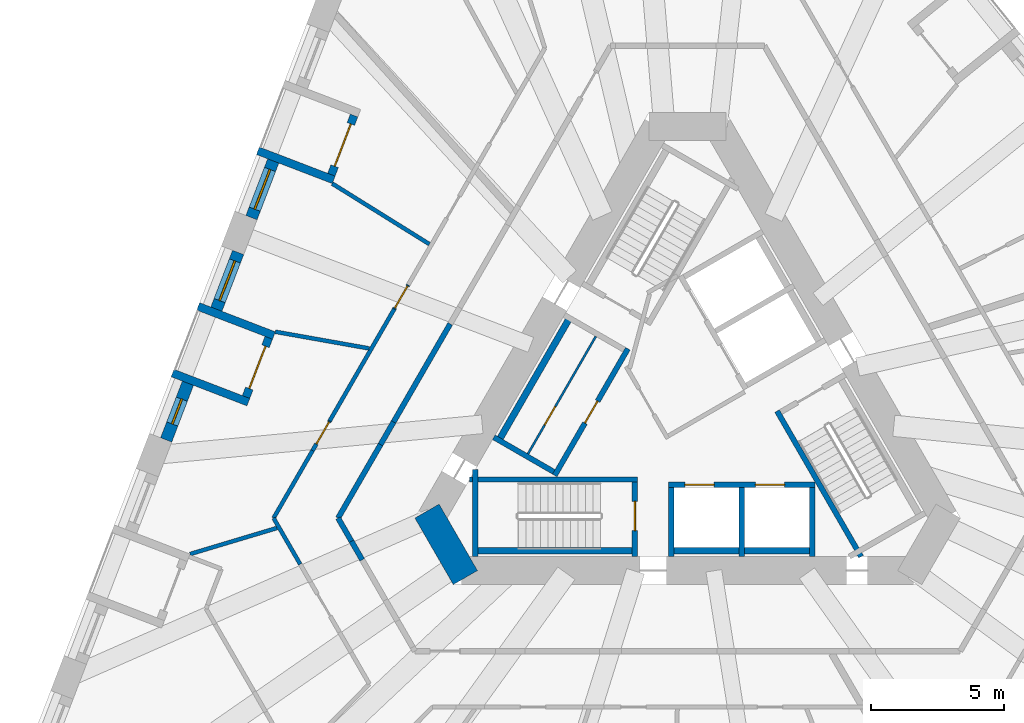
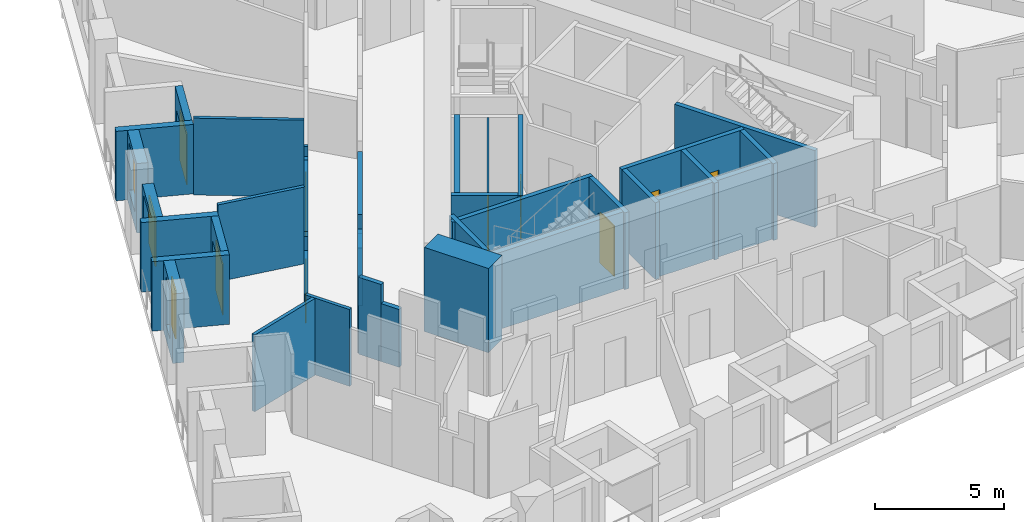
# One storey, part 4 of 14: 36 walls, 9 doors, 3 windows, 12 openings.
"""IFC4 building model written with IfcOpenShell, lengths in metres."""

from ifc_helpers import new_model, si_unit, direction, frame, frame_2d, origin, place, context, subcontext, project, spatial, polyline, rectangle, outline, extrude, material, layer, layer_set, type_object, element, fill, save


model = new_model("IFC4")

# Units and contexts
model_context = context("Model", 3, precision=1e-05, world=origin(), true_north=direction((0.0, 1.0)))
body_context = subcontext(model_context, "Body", "Model", "MODEL_VIEW")
ifc_project = project(units=[si_unit("LENGTHUNIT", "METRE"), si_unit("AREAUNIT", "SQUARE_METRE"), si_unit("VOLUMEUNIT", "CUBIC_METRE"), si_unit("PLANEANGLEUNIT", "RADIAN"), si_unit("MASSUNIT", "GRAM", prefix="KILO")], contexts=[model_context])

# Site, building, storey
site_placement = place(None, origin())
site = spatial("IfcSite", under=ifc_project, at=site_placement, CompositionType="ELEMENT")
building_placement = place(site_placement, origin())
building = spatial("IfcBuilding", under=site, at=building_placement, Name="Tramontana Tower", CompositionType="ELEMENT")
storey_placement = place(building_placement, frame((0.0, 0.0, 79.199951171875)))
storey = spatial("IfcBuildingStorey", under=building, at=storey_placement, Name="L17", CompositionType="ELEMENT", Elevation=79.199951171875)

# Walls
ifc_material_1 = material(Name="Concrete 70 MPa", Category="concrete")
ifc_layer_1 = layer(ifc_material_1, 1.050048828125)
ifc_layer_set_1 = layer_set([ifc_layer_1], Name="Core wall 1050 70 MPa")
wall_type_1 = type_object("IfcWallType", Name="Core wall 1050 70 MPa", PredefinedType="SHEAR", material=ifc_layer_set_1)
wall_1_placement = place(storey_placement, frame((-9.793212890625, -3.987548828125, 0.0), z_axis=(0.0, 0.0, 1.0), x_axis=(0.499995765644, -0.866027848477, 0.0)))
element("IfcWall", 1, at=wall_1_placement, inside=storey, type_object=wall_type_1, Name="Core wall C2 L17", PredefinedType="SHEAR", context=body_context, shape_type="SweptSolid", body=[
    extrude(rectangle(XDim=2.88671875, YDim=1.050048828125, at=frame_2d((1.443359375, 0.0))), origin(), (0.0, 0.0, 1.0), 4.0),
])
ifc_material_2 = material(Name="Blockwork", Category="masonry")
ifc_layer_2 = layer(ifc_material_2, 0.199951171875)
ifc_layer_set_2 = layer_set([ifc_layer_2], Name="ENTRY WALL 200")
wall_type_2 = type_object("IfcWallType", Name="ENTRY WALL 200", PredefinedType="SOLIDWALL", material=ifc_layer_set_2)
wall_2_placement = place(storey_placement, frame((-12.228515625, -5.819580078125, 0.0), z_axis=(0.0, 0.0, 1.0), x_axis=(-0.499923776705, 0.866069406852, 0.0)))
element("IfcWall", 2, at=wall_2_placement, inside=storey, type_object=wall_type_2, Name="Wall v12-ew3-4", PredefinedType="SOLIDWALL", context=body_context, shape_type="SweptSolid", body=[
    extrude(rectangle(XDim=0.804931640625, YDim=0.199951171875, at=frame_2d((0.40234375, 0.0))), origin(), (0.0, 0.0, 1.0), 2.75),
])
wall_3_placement = place(storey_placement, frame((-12.630859375, -5.12255859375, 0.0), z_axis=(0.0, 0.0, 1.0), x_axis=(-0.500099969036, 0.865967678941, 0.0)))
element("IfcWall", 3, at=wall_3_placement, inside=storey, type_object=wall_type_2, Name="Wall v12-ew3-5", PredefinedType="SOLIDWALL", context=body_context, shape_type="SweptSolid", body=[
    extrude(rectangle(XDim=1.007568359375, YDim=0.199951171875, at=frame_2d((0.50390625, 0.0))), origin(), (0.0, 0.0, 1.0), 3.650146484375),
])
wall_4_placement = place(storey_placement, frame((-13.134765625, -4.25, 0.0), z_axis=(0.0, 0.0, 1.0), x_axis=(0.50003154259, 0.866007191896, 0.0)))
element("IfcWall", 4, at=wall_4_placement, inside=storey, type_object=wall_type_2, Name="Wall v12-ew4-0", PredefinedType="SOLIDWALL", context=body_context, shape_type="SweptSolid", body=[
    extrude(rectangle(XDim=3.190673828125, YDim=0.199951171875, at=frame_2d((1.59521484375, 0.0))), origin(), (0.0, 0.0, 1.0), 3.650146484375),
])
wall_5_placement = place(storey_placement, frame((-11.539306640625, -1.48681640625, 0.0), z_axis=(0.0, 0.0, 1.0), x_axis=(0.499966601515, 0.86604468555, 0.0)))
element("IfcWall", 5, at=wall_5_placement, inside=storey, type_object=wall_type_2, Name="Wall v12-ew4-1", PredefinedType="SOLIDWALL", context=body_context, shape_type="SweptSolid", body=[
    extrude(rectangle(XDim=0.98095703125, YDim=0.199951171875, at=frame_2d((0.490478515625, 0.0))), origin(), (0.0, 0.0, 1.0), 2.75),
])
wall_6_placement = place(storey_placement, frame((-11.048828125, -0.63720703125, 0.0), z_axis=(0.0, 0.0, 1.0), x_axis=(0.500000470374, 0.866025132214, 0.0)))
element("IfcWall", 6, at=wall_6_placement, inside=storey, type_object=wall_type_2, Name="Wall v12-ew4-2", PredefinedType="SOLIDWALL", context=body_context, shape_type="SweptSolid", body=[
    extrude(rectangle(XDim=4.2568359375, YDim=0.199951171875, at=frame_2d((2.12841796875, 0.0))), origin(), (0.0, 0.0, 1.0), 3.650146484375),
])

# Wall, opening, window
ifc_material_3 = material(Name="Precast concrete 60 MPa", Category="concrete")
ifc_layer_3 = layer(ifc_material_3, 0.449951171875)
ifc_layer_set_3 = layer_set([ifc_layer_3], Name="Precast concrete 60 MPa, 450 mm")
wall_type_3 = type_object("IfcWallType", Name="EW1 Stone-faced precast wall 450", PredefinedType="SOLIDWALL", material=ifc_layer_set_3)
wall_7_placement = place(storey_placement, frame((-15.572021484375, 9.1728515625, 0.0), z_axis=(0.0, 0.0, 1.0), x_axis=(-0.358355550725, -0.933585185864, 0.0)))
wall_7 = element("IfcWall", 7, at=wall_7_placement, inside=storey, type_object=wall_type_3, Name="External wall L17 face 0 bay 3", PredefinedType="SOLIDWALL", context=body_context, shape_type="SweptSolid", body=[
    extrude(rectangle(XDim=2.282958984375, YDim=0.449951171875, at=frame_2d((1.1416015625, 0.0))), origin(), (0.0, 0.0, 1.0), 3.300048828125),
])
opening_1_placement = place(wall_7_placement, frame((0.341552734375, 0.0, 0.699951171875)))
opening_1 = element("IfcOpeningElement", 8, at=opening_1_placement, cuts=wall_7, Name="Opening M1", PredefinedType="OPENING", context=body_context, shape_type="SweptSolid", body=[
    extrude(rectangle(XDim=1.60009765625, YDim=2.300048828125, at=frame_2d((0.800048828125, 1.14990234375))), frame((0.0, 0.23486328125, 0.0), z_axis=(0.0, -1.0, 0.0), x_axis=(1.0, 0.0, 0.0)), (0.0, 0.0, 1.0), 0.469970703125),
])
ifc_material_4 = material(Name="Aluminum frame, double glazing unit", Category="aluminium")
window_type_1 = type_object("IfcWindowType", Name="M1 Window 1.6 x 2.3", PartitioningType="SINGLE_PANEL", PredefinedType="WINDOW", material=ifc_material_4)
window_1_placement = place(opening_1_placement, origin())
window_1 = element("IfcWindow", 9, at=window_1_placement, inside=storey, type_object=window_type_1, Name="Window M1 L17 face 0 module 9", OverallHeight=2.300048828125, OverallWidth=1.60009765625, PartitioningType="SINGLE_PANEL", PredefinedType="WINDOW", context=body_context, shape_type="SweptSolid", body=[
    extrude(rectangle(XDim=1.60009765625, YDim=2.300048828125, at=frame_2d((0.800048828125, 1.14990234375))), frame((0.0, 0.030029296875, 0.0), z_axis=(0.0, -1.0, 0.0), x_axis=(1.0, 0.0, 0.0)), (0.0, 0.0, 1.0), 0.06005859375),
])
fill(opening_1, window_1)

wall_8_placement = place(storey_placement, frame((-16.891845703125, 5.734375, 0.0), z_axis=(0.0, 0.0, 1.0), x_axis=(-0.358355550725, -0.933585185864, 0.0)))
wall_8 = element("IfcWall", 10, at=wall_8_placement, inside=storey, type_object=wall_type_3, Name="External wall L17 face 0 bay 4", PredefinedType="SOLIDWALL", context=body_context, shape_type="SweptSolid", body=[
    extrude(rectangle(XDim=2.282958984375, YDim=0.449951171875, at=frame_2d((1.1416015625, 0.0))), origin(), (0.0, 0.0, 1.0), 3.300048828125),
])
opening_2_placement = place(wall_8_placement, frame((0.341552734375, 0.0, 0.699951171875)))
opening_2 = element("IfcOpeningElement", 11, at=opening_2_placement, cuts=wall_8, Name="Opening M1", PredefinedType="OPENING", context=body_context, shape_type="SweptSolid", body=[
    extrude(rectangle(XDim=1.60009765625, YDim=2.300048828125, at=frame_2d((0.800048828125, 1.14990234375))), frame((0.0, 0.23486328125, 0.0), z_axis=(0.0, -1.0, 0.0), x_axis=(1.0, 0.0, 0.0)), (0.0, 0.0, 1.0), 0.469970703125),
])
window_2_placement = place(opening_2_placement, origin())
window_2 = element("IfcWindow", 12, at=window_2_placement, inside=storey, type_object=window_type_1, Name="Window M1 L17 face 0 module 10", OverallHeight=2.300048828125, OverallWidth=1.60009765625, PartitioningType="SINGLE_PANEL", PredefinedType="WINDOW", context=body_context, shape_type="SweptSolid", body=[
    extrude(rectangle(XDim=1.60009765625, YDim=2.300048828125, at=frame_2d((0.800048828125, 1.14990234375))), frame((0.0, 0.030029296875, 0.0), z_axis=(0.0, -1.0, 0.0), x_axis=(1.0, 0.0, 0.0)), (0.0, 0.0, 1.0), 0.06005859375),
])
fill(opening_2, window_2)

wall_9_placement = place(storey_placement, frame((-18.779052734375, 0.818115234375, 0.0), z_axis=(0.0, 0.0, 1.0), x_axis=(-0.358355550725, -0.933585185864, 0.0)))
wall_9 = element("IfcWall", 13, at=wall_9_placement, inside=storey, type_object=wall_type_3, Name="External wall L17 face 0 bay 4", PredefinedType="SOLIDWALL", context=body_context, shape_type="SweptSolid", body=[
    extrude(rectangle(XDim=2.282958984375, YDim=0.449951171875, at=frame_2d((1.1416015625, 0.0))), origin(), (0.0, 0.0, 1.0), 3.300048828125),
])
opening_3_placement = place(wall_9_placement, frame((0.6416015625, 0.0, 0.699951171875)))
opening_3 = element("IfcOpeningElement", 14, at=opening_3_placement, cuts=wall_9, Name="Opening N1", PredefinedType="OPENING", context=body_context, shape_type="SweptSolid", body=[
    extrude(rectangle(XDim=1.0, YDim=2.300048828125, at=frame_2d((0.5, 1.14990234375))), frame((0.0, 0.23486328125, 0.0), z_axis=(0.0, -1.0, 0.0), x_axis=(1.0, 0.0, 0.0)), (0.0, 0.0, 1.0), 0.469970703125),
])
ifc_material_5 = material(Name="Aluminum frame, double glazing unit", Category="aluminium")
window_type_2 = type_object("IfcWindowType", Name="N1 Window 1 x 2.3", PartitioningType="SINGLE_PANEL", PredefinedType="WINDOW", material=ifc_material_5)
window_3_placement = place(opening_3_placement, origin())
window_3 = element("IfcWindow", 15, at=window_3_placement, inside=storey, type_object=window_type_2, Name="Window N1 L17 face 0 module 12", OverallHeight=2.300048828125, OverallWidth=1.0, PartitioningType="SINGLE_PANEL", PredefinedType="WINDOW", context=body_context, shape_type="SweptSolid", body=[
    extrude(rectangle(XDim=1.0, YDim=2.300048828125, at=frame_2d((0.5, 1.14990234375))), frame((0.0, 0.030029296875, 0.0), z_axis=(0.0, -1.0, 0.0), x_axis=(1.0, 0.0, 0.0)), (0.0, 0.0, 1.0), 0.06005859375),
])
fill(opening_3, window_3)

# Wall, opening, door
ifc_material_6 = material(Name="Precast concrete 60 MPa", Category="concrete")
ifc_layer_4 = layer(ifc_material_6, 0.300048828125)
ifc_layer_set_4 = layer_set([ifc_layer_4], Name="LW1 Stone-faced loggia wall 300")
wall_type_4 = type_object("IfcWallType", Name="LW1 Stone-faced loggia wall 300", PredefinedType="SOLIDWALL", material=ifc_layer_set_4)
wall_10_placement = place(storey_placement, frame((-12.533447265625, 10.880126953125, 0.0), z_axis=(0.0, 0.0, 1.0), x_axis=(-0.35838856932, -0.933572511046, 0.0)))
wall_10 = element("IfcWall", 16, at=wall_10_placement, inside=storey, type_object=wall_type_4, Name="Loggia wall L17 G1S0.7", PredefinedType="SOLIDWALL", context=body_context, shape_type="SweptSolid", body=[
    extrude(rectangle(XDim=2.3828125, YDim=0.300048828125, at=frame_2d((1.19140625, 0.0))), origin(), (0.0, 0.0, 1.0), 3.300048828125),
])
opening_4_placement = place(wall_10_placement, frame((0.341552734375, 0.0, 0.0)))
opening_4 = element("IfcOpeningElement", 17, at=opening_4_placement, cuts=wall_10, Name="Opening BD-1S0-07", PredefinedType="OPENING", context=body_context, shape_type="SweptSolid", body=[
    extrude(rectangle(XDim=1.699951171875, YDim=2.39990234375, at=frame_2d((0.85009765625, 1.199951171875))), frame((0.0, 0.159912109375, 0.0), z_axis=(0.0, -1.0, 0.0), x_axis=(1.0, 0.0, 0.0)), (0.0, 0.0, 1.0), 0.320068359375),
])
ifc_material_7 = material(Name="Aluminum frame, double glazing unit", Category="aluminium")
door_type_1 = type_object("IfcDoorType", Name="BD1 Sliding door 1.7 x 2.4", OperationType="SLIDING_TO_LEFT", PredefinedType="DOOR", material=ifc_material_7)
door_1_placement = place(opening_4_placement, origin())
door_1 = element("IfcDoor", 18, at=door_1_placement, inside=storey, type_object=door_type_1, Name="Loggia door L17 G1S0.7", OperationType="SLIDING_TO_LEFT", OverallHeight=2.39990234375, OverallWidth=1.699951171875, PredefinedType="DOOR", context=body_context, shape_type="SweptSolid", body=[
    extrude(rectangle(XDim=1.699951171875, YDim=2.39990234375, at=frame_2d((0.85009765625, 1.199951171875))), frame((0.0, 0.02490234375, 0.0), z_axis=(0.0, -1.0, 0.0), x_axis=(1.0, 0.0, 0.0)), (0.0, 0.0, 1.0), 0.050048828125),
])
fill(opening_4, door_1)

# Wall
wall_11_placement = place(storey_placement, frame((-16.1484375, 9.5546875, 0.0), z_axis=(0.0, 0.0, 1.0), x_axis=(0.933580593625, -0.358367514161, 0.0)))
element("IfcWall", 19, at=wall_11_placement, inside=storey, type_object=wall_type_4, Name="Loggia return L17 G1S0.7b", PredefinedType="SOLIDWALL", context=body_context, shape_type="SweptSolid", body=[
    extrude(rectangle(XDim=3.050048828125, YDim=0.300048828125, at=frame_2d((1.52490234375, 0.0))), origin(), (0.0, 0.0, 1.0), 3.300048828125),
])

# Wall, opening, door
wall_12_placement = place(storey_placement, frame((-15.740478515625, 2.525634765625, 0.0), z_axis=(0.0, 0.0, 1.0), x_axis=(-0.35829926872, -0.933606787697, 0.0)))
wall_12 = element("IfcWall", 20, at=wall_12_placement, inside=storey, type_object=wall_type_4, Name="Loggia wall L17 G1S0.10", PredefinedType="SOLIDWALL", context=body_context, shape_type="SweptSolid", body=[
    extrude(rectangle(XDim=2.3828125, YDim=0.300048828125, at=frame_2d((1.19140625, 0.0))), origin(), (0.0, 0.0, 1.0), 3.300048828125),
])
opening_5_placement = place(wall_12_placement, frame((0.341552734375, 0.0, 0.0)))
opening_5 = element("IfcOpeningElement", 21, at=opening_5_placement, cuts=wall_12, Name="Opening BD-1S0-10", PredefinedType="OPENING", context=body_context, shape_type="SweptSolid", body=[
    extrude(rectangle(XDim=1.699951171875, YDim=2.39990234375, at=frame_2d((0.85009765625, 1.199951171875))), frame((0.0, 0.159912109375, 0.0), z_axis=(0.0, -1.0, 0.0), x_axis=(1.0, 0.0, 0.0)), (0.0, 0.0, 1.0), 0.320068359375),
])
door_2_placement = place(opening_5_placement, origin())
door_2 = element("IfcDoor", 22, at=door_2_placement, inside=storey, type_object=door_type_1, Name="Loggia door L17 G1S0.10", OperationType="SLIDING_TO_LEFT", OverallHeight=2.39990234375, OverallWidth=1.699951171875, PredefinedType="DOOR", context=body_context, shape_type="SweptSolid", body=[
    extrude(rectangle(XDim=1.699951171875, YDim=2.39990234375, at=frame_2d((0.85009765625, 1.199951171875))), frame((0.0, 0.02490234375, 0.0), z_axis=(0.0, -1.0, 0.0), x_axis=(1.0, 0.0, 0.0)), (0.0, 0.0, 1.0), 0.050048828125),
])
fill(opening_5, door_2)

# Walls
for number, where, z_axis, x_axis, name in (
    (23, (-18.39404296875, 3.704833984375, 0.0), (0.0, 0.0, 1.0), (0.933580593625, -0.358367514161, 0.0), "Loggia return L17 G1S0.10a"),
    (24, (-19.35546875, 1.2001953125, 0.0), (0.0, 0.0, 1.0), (0.933580593625, -0.358367514161, 0.0), "Loggia return L17 G1S0.10b"),
):
    element("IfcWall", number, at=place(storey_placement, frame(where, z_axis=z_axis, x_axis=x_axis)), inside=storey, type_object=wall_type_4, Name=name, PredefinedType="SOLIDWALL", context=body_context, shape_type="SweptSolid", body=[
        extrude(rectangle(XDim=3.050048828125, YDim=0.300048828125, at=frame_2d((1.52490234375, 0.0))), origin(), (0.0, 0.0, 1.0), 3.300048828125),
    ])
ifc_material_8 = material(Name="Gypsum board partition")
ifc_layer_5 = layer(ifc_material_8, 0.14990234375)
ifc_layer_set_5 = layer_set([ifc_layer_5], Name="PARTITION 150")
wall_type_5 = type_object("IfcWallType", Name="PARTITION 150", PredefinedType="PARTITIONING", material=ifc_layer_set_5)
wall_13_placement = place(storey_placement, frame((-18.69970703125, -5.6025390625, 0.0), z_axis=(0.0, 0.0, 1.0), x_axis=(0.957938455099, 0.286973720472, 0.0)))
element("IfcWall", 25, at=wall_13_placement, inside=storey, type_object=wall_type_5, Name="Wall v12-pw00", PredefinedType="PARTITIONING", context=body_context, shape_type="SweptSolid", body=[
    extrude(rectangle(XDim=3.412353515625, YDim=0.14990234375, at=frame_2d((1.7060546875, 0.0))), origin(), (0.0, 0.0, 1.0), 3.650146484375),
])
wall_14_placement = place(storey_placement, frame((-15.5595703125, -4.25, 0.0), z_axis=(0.0, 0.0, 1.0), x_axis=(0.500013600279, 0.866017551517, 0.0)))
element("IfcWall", 26, at=wall_14_placement, inside=storey, type_object=wall_type_5, Name="Wall v12-pw03-0", PredefinedType="PARTITIONING", context=body_context, shape_type="SweptSolid", body=[
    extrude(rectangle(XDim=2.927734375, YDim=0.14990234375, at=frame_2d((1.4638671875, 0.0))), origin(), (0.0, 0.0, 1.0), 3.650146484375),
])

# Wall, opening, door
wall_15_placement = place(storey_placement, frame((-14.095703125, -1.714599609375, 0.0), z_axis=(0.0, 0.0, 1.0), x_axis=(0.499940610781, 0.866059689451, 0.0)))
wall_15 = element("IfcWall", 27, at=wall_15_placement, inside=storey, type_object=wall_type_5, Name="Wall v12-pw03-1", PredefinedType="PARTITIONING", context=body_context, shape_type="SweptSolid", body=[
    extrude(outline(polyline([(0.0, 0.0), (1.291748046875, 0.0), (1.29150390625, 3.650146484375), (0.950439453125, 3.650146484375), (0.950439453125, 2.75), (0.0, 2.75), (0.0, 0.0)])), frame((0.0, 0.074951171875, 0.0), z_axis=(0.0, -1.0, 0.0), x_axis=(1.0, 0.0, 0.0)), (0.0, 0.0, 1.0), 0.14990234375),
])
opening_6_placement = place(wall_15_placement, frame((0.29150390625, 0.0, 0.0)))
opening_6 = element("IfcOpeningElement", 28, at=opening_6_placement, cuts=wall_15, Name="Opening B1C-11", PredefinedType="OPENING", context=body_context, shape_type="SweptSolid", body=[
    extrude(rectangle(XDim=0.949951171875, YDim=2.39990234375, at=frame_2d((0.47509765625, 1.199951171875))), frame((0.0, 0.0849609375, 0.0), z_axis=(0.0, -1.0, 0.0), x_axis=(1.0, 0.0, 0.0)), (0.0, 0.0, 1.0), 0.169921875),
])
ifc_material_9 = material(Name="Painted timber", Category="wood")
door_type_2 = type_object("IfcDoorType", Name="DOOR ROOM 950", OperationType="SINGLE_SWING_LEFT", PredefinedType="DOOR", material=ifc_material_9)
door_3_placement = place(opening_6_placement, origin())
door_3 = element("IfcDoor", 29, at=door_3_placement, inside=storey, type_object=door_type_2, Name="Door B1C-11", OperationType="SINGLE_SWING_LEFT", OverallHeight=2.39990234375, OverallWidth=0.949951171875, PredefinedType="DOOR", context=body_context, shape_type="SweptSolid", body=[
    extrude(rectangle(XDim=0.949951171875, YDim=2.39990234375, at=frame_2d((0.47509765625, 1.199951171875))), frame((0.0, 0.02490234375, 0.0), z_axis=(0.0, -1.0, 0.0), x_axis=(1.0, 0.0, 0.0)), (0.0, 0.0, 1.0), 0.050048828125),
])
fill(opening_6, door_3)

# Wall
wall_16_placement = place(storey_placement, frame((-13.449951171875, -0.595947265625, 0.0), z_axis=(0.0, 0.0, 1.0), x_axis=(0.499994084299, 0.866028819189, 0.0)))
element("IfcWall", 30, at=wall_16_placement, inside=storey, type_object=wall_type_5, Name="Wall v12-pw03-2", PredefinedType="PARTITIONING", context=body_context, shape_type="SweptSolid", body=[
    extrude(rectangle(XDim=4.849609375, YDim=0.14990234375, at=frame_2d((2.4248046875, 0.0))), origin(), (0.0, 0.0, 1.0), 3.650146484375),
])

# Wall, opening, door
wall_17_placement = place(storey_placement, frame((-11.025146484375, 3.60400390625, 0.0), z_axis=(0.0, 0.0, 1.0), x_axis=(0.499990860175, 0.866030680601, 0.0)))
wall_17 = element("IfcWall", 31, at=wall_17_placement, inside=storey, type_object=wall_type_5, Name="Wall v12-pw03-3", PredefinedType="PARTITIONING", context=body_context, shape_type="SweptSolid", body=[
    extrude(outline(polyline([(0.0, 0.0), (1.0498046875, 0.0), (1.050048828125, 3.650146484375), (0.935546875, 3.650146484375), (0.935546875, 2.949951171875), (0.252197265625, 2.949951171875), (0.252197265625, 3.650146484375), (0.0, 3.650146484375), (0.0, 0.0)])), frame((0.0, 0.074951171875, 0.0), z_axis=(0.0, -1.0, 0.0), x_axis=(1.0, 0.0, 0.0)), (0.0, 0.0, 1.0), 0.14990234375),
])
opening_7_placement = place(wall_17_placement, frame((0.050048828125, 0.0, 0.0)))
opening_7 = element("IfcOpeningElement", 32, at=opening_7_placement, cuts=wall_17, Name="Opening B1C-12", PredefinedType="OPENING", context=body_context, shape_type="SweptSolid", body=[
    extrude(rectangle(XDim=0.949951171875, YDim=2.39990234375, at=frame_2d((0.47509765625, 1.199951171875))), frame((0.0, 0.0849609375, 0.0), z_axis=(0.0, -1.0, 0.0), x_axis=(1.0, 0.0, 0.0)), (0.0, 0.0, 1.0), 0.169921875),
])
door_4_placement = place(opening_7_placement, origin())
door_4 = element("IfcDoor", 33, at=door_4_placement, inside=storey, type_object=door_type_2, Name="Door B1C-12", OperationType="SINGLE_SWING_RIGHT", OverallHeight=2.39990234375, OverallWidth=0.949951171875, PredefinedType="DOOR", context=body_context, shape_type="SweptSolid", body=[
    extrude(rectangle(XDim=0.949951171875, YDim=2.39990234375, at=frame_2d((0.47509765625, 1.199951171875))), frame((0.0, 0.02490234375, 0.0), z_axis=(0.0, -1.0, 0.0), x_axis=(1.0, 0.0, 0.0)), (0.0, 0.0, 1.0), 0.050048828125),
])
fill(opening_7, door_4)

# Walls
wall_18_placement = place(storey_placement, frame((-15.492919921875, 2.751953125, 0.0), z_axis=(0.0, 0.0, 1.0), x_axis=(0.98459432841, -0.174854249201, 0.0)))
element("IfcWall", 34, at=wall_18_placement, inside=storey, type_object=wall_type_5, Name="Wall v12-pw04", PredefinedType="PARTITIONING", context=body_context, shape_type="SweptSolid", body=[
    extrude(rectangle(XDim=3.582763671875, YDim=0.14990234375, at=frame_2d((1.79150390625, 0.0))), origin(), (0.0, 0.0, 1.0), 3.650146484375),
])
wall_19_placement = place(storey_placement, frame((-13.354736328125, 8.321533203125, 0.0), z_axis=(0.0, 0.0, 1.0), x_axis=(0.848727332237, -0.52883070591, 0.0)))
element("IfcWall", 35, at=wall_19_placement, inside=storey, type_object=wall_type_5, Name="Wall v12-pw07", PredefinedType="PARTITIONING", context=body_context, shape_type="SweptSolid", body=[
    extrude(rectangle(XDim=4.3037109375, YDim=0.14990234375, at=frame_2d((2.15185546875, 0.0))), origin(), (0.0, 0.0, 1.0), 3.650146484375),
])
wall_20_placement = place(storey_placement, frame((-14.55810546875, -5.984619140625, 0.0), z_axis=(0.0, 0.0, 1.0), x_axis=(-0.499993265928, 0.866029291668, 0.0)))
element("IfcWall", 36, at=wall_20_placement, inside=storey, type_object=wall_type_5, Name="Wall v12-pw10-4", PredefinedType="PARTITIONING", context=body_context, shape_type="SweptSolid", body=[
    extrude(rectangle(XDim=2.0029296875, YDim=0.14990234375, at=frame_2d((1.00146484375, 0.0))), origin(), (0.0, 0.0, 1.0), 3.650146484375),
])

# Wall, opening, door
ifc_material_10 = material(Name="Gypsum board partition")
ifc_layer_6 = layer(ifc_material_10, 0.080078125)
ifc_layer_set_6 = layer_set([ifc_layer_6], Name="PARTITION 80")
wall_type_6 = type_object("IfcWallType", Name="PARTITION 80", PredefinedType="PARTITIONING", material=ifc_layer_set_6)
wall_21_placement = place(storey_placement, frame((-5.997314453125, -1.837646484375, 0.0), z_axis=(0.0, 0.0, 1.0), x_axis=(0.500005610874, 0.86602216432, 0.0)))
wall_21 = element("IfcWall", 37, at=wall_21_placement, inside=storey, type_object=wall_type_6, Name="Wall row0-split", PredefinedType="PARTITIONING", context=body_context, shape_type="SweptSolid", body=[
    extrude(rectangle(XDim=5.10009765625, YDim=0.080078125, at=frame_2d((2.550048828125, 0.0))), origin(), (0.0, 0.0, 1.0), 3.650146484375),
])
opening_8_placement = place(wall_21_placement, frame((1.25, 0.0, 0.0)))
opening_8 = element("IfcOpeningElement", 38, at=opening_8_placement, cuts=wall_21, Name="Opening RD-0B", PredefinedType="OPENING", context=body_context, shape_type="SweptSolid", body=[
    extrude(rectangle(XDim=0.800048828125, YDim=2.10009765625, at=frame_2d((0.39990234375, 1.050048828125))), frame((0.0, 0.050048828125, 0.0), z_axis=(0.0, -1.0, 0.0), x_axis=(1.0, 0.0, 0.0)), (0.0, 0.0, 1.0), 0.10009765625),
])
ifc_material_11 = material(Name="Painted steel", Category="steel")
door_type_3 = type_object("IfcDoorType", Name="CUPBOARD DOOR 800", OperationType="SINGLE_SWING_LEFT", PredefinedType="DOOR", material=ifc_material_11)
door_5_placement = place(opening_8_placement, origin())
door_5 = element("IfcDoor", 39, at=door_5_placement, inside=storey, type_object=door_type_3, Name="Door RD-0B", OperationType="SINGLE_SWING_RIGHT", OverallHeight=2.10009765625, OverallWidth=0.800048828125, PredefinedType="DOOR", context=body_context, shape_type="SweptSolid", body=[
    extrude(rectangle(XDim=0.800048828125, YDim=2.10009765625, at=frame_2d((0.39990234375, 1.050048828125))), frame((0.0, 0.02490234375, 0.0), z_axis=(0.0, -1.0, 0.0), x_axis=(1.0, 0.0, 0.0)), (0.0, 0.0, 1.0), 0.050048828125),
])
fill(opening_8, door_5)

# Walls
ifc_material_12 = material(Name="Concrete 70 MPa", Category="concrete")
ifc_layer_7 = layer(ifc_material_12, 0.25)
ifc_layer_set_7 = layer_set([ifc_layer_7], Name="Concrete 70 MPa, 250 mm")
wall_type_7 = type_object("IfcWallType", Name="RC SHAFT BACK WALL 250", PredefinedType="SOLIDWALL", material=ifc_layer_set_7)
wall_22_placement = place(storey_placement, frame((-8.080078125, -5.47509765625, 0.0), z_axis=(0.0, 0.0, 1.0), x_axis=(1.0, 0.0, 0.0)))
element("IfcWall", 40, at=wall_22_placement, inside=storey, type_object=wall_type_7, Name="Wall st2-back", PredefinedType="SOLIDWALL", context=body_context, shape_type="SweptSolid", body=[
    extrude(rectangle(XDim=6.2001953125, YDim=0.25, at=frame_2d((3.10009765625, 0.0))), origin(), (0.0, 0.0, 1.0), 3.650146484375),
])
wall_23_placement = place(storey_placement, frame((-4.386474609375, 3.352294921875, 0.0), z_axis=(0.0, 0.0, 1.0), x_axis=(-0.500015767406, -0.866016300277, 0.0)))
element("IfcWall", 41, at=wall_23_placement, inside=storey, type_object=wall_type_7, Name="Wall row0-back", PredefinedType="SOLIDWALL", context=body_context, shape_type="SweptSolid", body=[
    extrude(rectangle(XDim=5.499755859375, YDim=0.25, at=frame_2d((2.75, 0.0))), origin(), (0.0, 0.0, 1.0), 3.650146484375),
])
wall_24_placement = place(storey_placement, frame((-0.7099609375, -5.47509765625, 0.0), z_axis=(0.0, 0.0, 1.0), x_axis=(1.0, 0.0, 0.0)))
element("IfcWall", 42, at=wall_24_placement, inside=storey, type_object=wall_type_7, Name="Wall row1-back", PredefinedType="SOLIDWALL", context=body_context, shape_type="SweptSolid", body=[
    extrude(rectangle(XDim=5.5, YDim=0.25, at=frame_2d((2.75, 0.0))), origin(), (0.0, 0.0, 1.0), 3.650146484375),
])
ifc_material_13 = material(Name="Concrete 70 MPa", Category="concrete")
ifc_layer_8 = layer(ifc_material_13, 0.199951171875)
ifc_layer_set_8 = layer_set([ifc_layer_8], Name="Concrete 70 MPa, 200 mm")
wall_type_8 = type_object("IfcWallType", Name="RC STAIR AND SHAFT WALL 200", PredefinedType="SOLIDWALL", material=ifc_layer_set_8)
wall_25_placement = place(storey_placement, frame((-8.198486328125, -2.800048828125, 0.0), z_axis=(0.0, 0.0, 1.0), x_axis=(1.0, 0.0, 0.0)))
element("IfcWall", 43, at=wall_25_placement, inside=storey, type_object=wall_type_8, Name="Wall st2-front", PredefinedType="SOLIDWALL", context=body_context, shape_type="SweptSolid", body=[
    extrude(rectangle(XDim=6.318603515625, YDim=0.199951171875, at=frame_2d((3.1591796875, 0.0))), origin(), (0.0, 0.0, 1.0), 3.650146484375),
])
wall_26_placement = place(storey_placement, frame((-7.97998046875, -2.421875, 0.0), z_axis=(0.0, 0.0, 1.0), x_axis=(0.0, -1.0, 0.0)))
element("IfcWall", 44, at=wall_26_placement, inside=storey, type_object=wall_type_8, Name="Wall st2-far", PredefinedType="SOLIDWALL", context=body_context, shape_type="SweptSolid", body=[
    extrude(rectangle(XDim=3.278076171875, YDim=0.199951171875, at=frame_2d((1.63916015625, 0.0))), origin(), (0.0, 0.0, 1.0), 3.650146484375),
])

# Wall, opening, door
wall_27_placement = place(storey_placement, frame((-1.97998046875, -2.89990234375, 0.0), z_axis=(0.0, 0.0, 1.0), x_axis=(0.0, -1.0, 0.0)))
wall_27 = element("IfcWall", 45, at=wall_27_placement, inside=storey, type_object=wall_type_8, Name="Wall st2-near", PredefinedType="SOLIDWALL", context=body_context, shape_type="SweptSolid", body=[
    extrude(rectangle(XDim=2.800048828125, YDim=0.199951171875, at=frame_2d((1.39990234375, 0.0))), origin(), (0.0, 0.0, 1.0), 3.650146484375),
])
opening_9_placement = place(wall_27_placement, frame((0.72509765625, 0.0, 0.0)))
opening_9 = element("IfcOpeningElement", 46, at=opening_9_placement, cuts=wall_27, Name="Opening SD2", PredefinedType="OPENING", context=body_context, shape_type="SweptSolid", body=[
    extrude(rectangle(XDim=1.10009765625, YDim=2.39990234375, at=frame_2d((0.550048828125, 1.199951171875))), frame((0.0, 0.10986328125, 0.0), z_axis=(0.0, -1.0, 0.0), x_axis=(1.0, 0.0, 0.0)), (0.0, 0.0, 1.0), 0.219970703125),
])
ifc_material_14 = material(Name="Painted steel", Category="steel")
door_type_4 = type_object("IfcDoorType", Name="STAIR DOOR 1100", OperationType="SINGLE_SWING_LEFT", PredefinedType="DOOR", material=ifc_material_14)
door_6_placement = place(opening_9_placement, origin())
door_6 = element("IfcDoor", 47, at=door_6_placement, inside=storey, type_object=door_type_4, Name="Door SD2", OperationType="SINGLE_SWING_LEFT", OverallHeight=2.39990234375, OverallWidth=1.10009765625, PredefinedType="DOOR", context=body_context, shape_type="SweptSolid", body=[
    extrude(rectangle(XDim=1.10009765625, YDim=2.39990234375, at=frame_2d((0.550048828125, 1.199951171875))), frame((0.0, 0.02490234375, 0.0), z_axis=(0.0, -1.0, 0.0), x_axis=(1.0, 0.0, 0.0)), (0.0, 0.0, 1.0), 0.050048828125),
])
fill(opening_9, door_6)

# Wall
wall_28_placement = place(storey_placement, frame((6.524169921875, -5.699951171875, 0.0), z_axis=(0.0, 0.0, 1.0), x_axis=(-0.499995607161, 0.866027939976, 0.0)))
element("IfcWall", 48, at=wall_28_placement, inside=storey, type_object=wall_type_8, Name="Wall st3-front", PredefinedType="SOLIDWALL", context=body_context, shape_type="SweptSolid", body=[
    extrude(rectangle(XDim=6.318359375, YDim=0.199951171875, at=frame_2d((3.1591796875, 0.0))), origin(), (0.0, 0.0, 1.0), 3.650146484375),
])

# Wall, opening, door
wall_29_placement = place(storey_placement, frame((-4.9931640625, -2.648193359375, 0.0), z_axis=(0.0, 0.0, 1.0), x_axis=(0.499996545922, 0.866027397988, 0.0)))
wall_29 = element("IfcWall", 49, at=wall_29_placement, inside=storey, type_object=wall_type_8, Name="Wall row0-front", PredefinedType="SOLIDWALL", context=body_context, shape_type="SweptSolid", body=[
    extrude(rectangle(XDim=5.5, YDim=0.199951171875, at=frame_2d((2.75, 0.0))), origin(), (0.0, 0.0, 1.0), 3.650146484375),
])
opening_10_placement = place(wall_29_placement, frame((2.27490234375, 0.0, 0.0)))
opening_10 = element("IfcOpeningElement", 50, at=opening_10_placement, cuts=wall_29, Name="Opening RD-0A", PredefinedType="OPENING", context=body_context, shape_type="SweptSolid", body=[
    extrude(rectangle(XDim=0.949951171875, YDim=2.39990234375, at=frame_2d((0.47509765625, 1.199951171875))), frame((0.0, 0.10986328125, 0.0), z_axis=(0.0, -1.0, 0.0), x_axis=(1.0, 0.0, 0.0)), (0.0, 0.0, 1.0), 0.219970703125),
])
door_7_placement = place(opening_10_placement, origin())
door_7 = element("IfcDoor", 51, at=door_7_placement, inside=storey, type_object=door_type_2, Name="Door RD-0A", OperationType="SINGLE_SWING_LEFT", OverallHeight=2.39990234375, OverallWidth=0.949951171875, PredefinedType="DOOR", context=body_context, shape_type="SweptSolid", body=[
    extrude(rectangle(XDim=0.949951171875, YDim=2.39990234375, at=frame_2d((0.47509765625, 1.199951171875))), frame((0.0, 0.02490234375, 0.0), z_axis=(0.0, -1.0, 0.0), x_axis=(1.0, 0.0, 0.0)), (0.0, 0.0, 1.0), 0.050048828125),
])
fill(opening_10, door_7)

# Wall
wall_30_placement = place(storey_placement, frame((-5.02978515625, -2.51171875, 0.0), z_axis=(0.0, 0.0, 1.0), x_axis=(-0.865997922154, 0.500047596559, 0.0)))
element("IfcWall", 52, at=wall_30_placement, inside=storey, type_object=wall_type_8, Name="Wall row0-side2", PredefinedType="SOLIDWALL", context=body_context, shape_type="SweptSolid", body=[
    extrude(rectangle(XDim=2.599853515625, YDim=0.199951171875, at=frame_2d((1.2998046875, 0.0))), origin(), (0.0, 0.0, 1.0), 3.650146484375),
])

# Wall, openings, doors
wall_31_placement = place(storey_placement, frame((-0.7099609375, -3.0, 0.0), z_axis=(0.0, 0.0, 1.0), x_axis=(1.0, 0.0, 0.0)))
wall_31 = element("IfcWall", 53, at=wall_31_placement, inside=storey, type_object=wall_type_8, Name="Wall row1-front", PredefinedType="SOLIDWALL", context=body_context, shape_type="SweptSolid", body=[
    extrude(rectangle(XDim=5.5, YDim=0.199951171875, at=frame_2d((2.75, 0.0))), origin(), (0.0, 0.0, 1.0), 3.650146484375),
])
opening_11_placement = place(wall_31_placement, frame((0.610107421875, 0.0, 0.0)))
opening_11 = element("IfcOpeningElement", 54, at=opening_11_placement, cuts=wall_31, Name="Opening LD-S1", PredefinedType="OPENING", context=body_context, shape_type="SweptSolid", body=[
    extrude(rectangle(XDim=1.10009765625, YDim=2.10009765625, at=frame_2d((0.550048828125, 1.050048828125))), frame((0.0, 0.10986328125, 0.0), z_axis=(0.0, -1.0, 0.0), x_axis=(1.0, 0.0, 0.0)), (0.0, 0.0, 1.0), 0.219970703125),
])
opening_12_placement = place(wall_31_placement, frame((3.260009765625, 0.0, 0.0)))
opening_12 = element("IfcOpeningElement", 55, at=opening_12_placement, cuts=wall_31, Name="Opening LD-S2", PredefinedType="OPENING", context=body_context, shape_type="SweptSolid", body=[
    extrude(rectangle(XDim=1.10009765625, YDim=2.10009765625, at=frame_2d((0.550048828125, 1.050048828125))), frame((0.0, 0.10986328125, 0.0), z_axis=(0.0, -1.0, 0.0), x_axis=(1.0, 0.0, 0.0)), (0.0, 0.0, 1.0), 0.219970703125),
])
ifc_material_15 = material(Name="Brushed steel", Category="steel")
door_type_5 = type_object("IfcDoorType", Name="LANDING DOOR 1100", OperationType="SINGLE_SWING_LEFT", PredefinedType="DOOR", material=ifc_material_15)
door_8_placement = place(opening_11_placement, origin())
door_8 = element("IfcDoor", 56, at=door_8_placement, inside=storey, type_object=door_type_5, Name="Door LD-S1", OperationType="SLIDING_TO_LEFT", OverallHeight=2.10009765625, OverallWidth=1.10009765625, PredefinedType="DOOR", context=body_context, shape_type="SweptSolid", body=[
    extrude(rectangle(XDim=1.10009765625, YDim=2.10009765625, at=frame_2d((0.550048828125, 1.050048828125))), frame((0.0, 0.02490234375, 0.0), z_axis=(0.0, -1.0, 0.0), x_axis=(1.0, 0.0, 0.0)), (0.0, 0.0, 1.0), 0.050048828125),
])
fill(opening_11, door_8)
door_9_placement = place(opening_12_placement, origin())
door_9 = element("IfcDoor", 57, at=door_9_placement, inside=storey, type_object=door_type_5, Name="Door LD-S2", OperationType="SLIDING_TO_RIGHT", OverallHeight=2.10009765625, OverallWidth=1.10009765625, PredefinedType="DOOR", context=body_context, shape_type="SweptSolid", body=[
    extrude(rectangle(XDim=1.10009765625, YDim=2.10009765625, at=frame_2d((0.550048828125, 1.050048828125))), frame((0.0, 0.02490234375, 0.0), z_axis=(0.0, -1.0, 0.0), x_axis=(1.0, 0.0, 0.0)), (0.0, 0.0, 1.0), 0.050048828125),
])
fill(opening_12, door_9)

# Walls
for number, where, z_axis, x_axis, name in (
    (58, (-0.610107421875, -3.10009765625, 0.0), (0.0, 0.0, 1.0), (0.0, -1.0, 0.0), "Wall row1-side0"),
    (59, (2.0400390625, -3.10009765625, 0.0), (0.0, 0.0, 1.0), (0.0, -1.0, 0.0), "Wall row1-side1"),
    (60, (4.68994140625, -3.10009765625, 0.0), (0.0, 0.0, 1.0), (0.0, -1.0, 0.0), "Wall row1-side2"),
):
    element("IfcWall", number, at=place(storey_placement, frame(where, z_axis=z_axis, x_axis=x_axis)), inside=storey, type_object=wall_type_8, Name=name, PredefinedType="SOLIDWALL", context=body_context, shape_type="SweptSolid", body=[
        extrude(rectangle(XDim=2.599853515625, YDim=0.199951171875, at=frame_2d((1.2998046875, 0.0))), origin(), (0.0, 0.0, 1.0), 3.650146484375),
    ])

save(model, "model.ifc")
